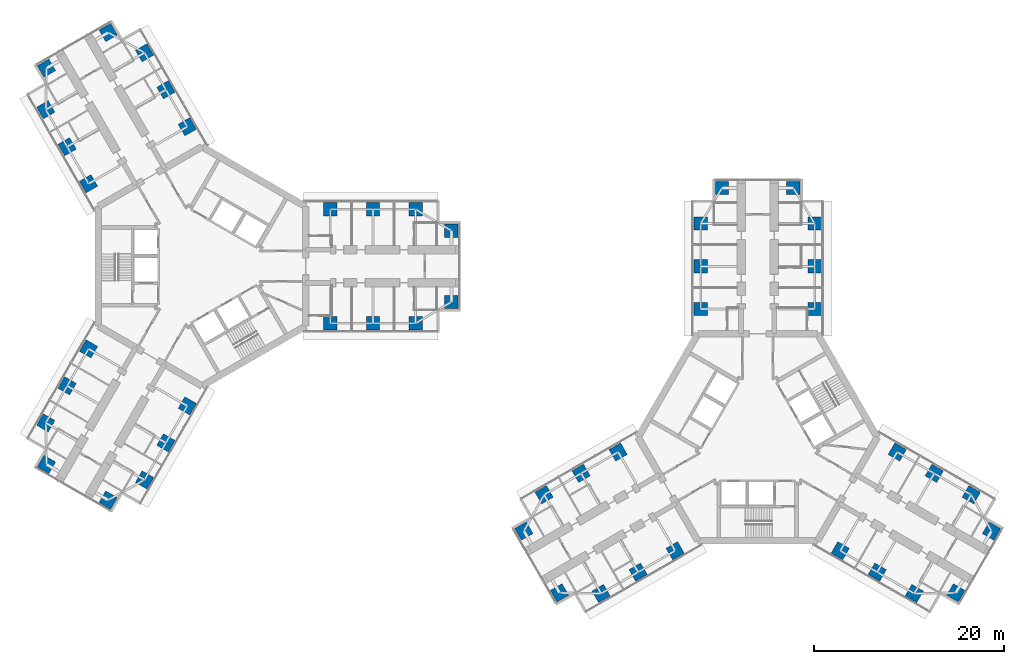
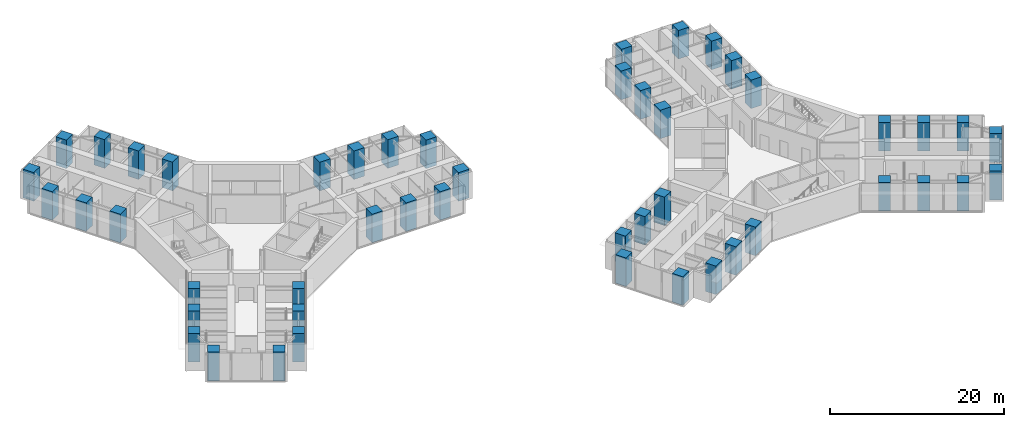
# One storey, part 1 of 25: 48 columns.
"""IFC4 building model written with IfcOpenShell, lengths in metres."""

from ifc_helpers import new_model, si_unit, direction, frame, origin, origin_2d, place, context, subcontext, project, spatial, rectangle, extrude, material, material_profile, profile_set, type_object, element, save


model = new_model("IFC4")

# Units and contexts
model_context = context("Model", 3, precision=1e-05, world=origin(), true_north=direction((0.0, 1.0)))
body_context = subcontext(model_context, "Body", "Model", "MODEL_VIEW")
ifc_project = project(units=[si_unit("LENGTHUNIT", "METRE"), si_unit("AREAUNIT", "SQUARE_METRE"), si_unit("VOLUMEUNIT", "CUBIC_METRE"), si_unit("PLANEANGLEUNIT", "RADIAN"), si_unit("MASSUNIT", "GRAM", prefix="KILO")], contexts=[model_context])

# Site, building, storey
site_placement = place(None, origin())
site = spatial("IfcSite", under=ifc_project, at=site_placement, CompositionType="ELEMENT")
building_placement = place(site_placement, origin())
building = spatial("IfcBuilding", under=site, at=building_placement, Name="Upepo Twin Towers", CompositionType="ELEMENT")
storey_placement = place(building_placement, frame((0.0, 0.0, 76.5)))
storey = spatial("IfcBuildingStorey", under=building, at=storey_placement, Name="L18", CompositionType="ELEMENT", Elevation=76.5)

# Columns
ifc_material = material(Name="Concrete C60/75", Category="concrete")
ifc_material_profile = material_profile(ifc_material, rectangle(XDim=1.39990234375, YDim=1.39990234375, at=origin_2d()), Name="RC 1400x1400")
ifc_profile_set = profile_set([ifc_material_profile], Name="Concrete C60/75")
column_type = type_object("IfcColumnType", Name="Tower column RC 1400x1400", PredefinedType="COLUMN", material=ifc_profile_set)
for number, where, z_axis, x_axis, name in (
    (1, (13.5, 6.0, 0.0), (0.0, 0.0, 1.0), (1.0, 0.0, 0.0), "T1 column AL135"),
    (2, (13.5, -6.0, 0.0), (0.0, 0.0, 1.0), (1.0, 0.0, 0.0), "T1 column AR135"),
    (3, (18.0, 6.0, 0.0), (0.0, 0.0, 1.0), (1.0, 0.0, 0.0), "T1 column AL180"),
    (4, (18.0, -6.0, 0.0), (0.0, 0.0, 1.0), (1.0, 0.0, 0.0), "T1 column AR180"),
    (5, (22.5, 6.0, 0.0), (0.0, 0.0, 1.0), (1.0, 0.0, 0.0), "T1 column AL225"),
    (6, (22.5, -6.0, 0.0), (0.0, 0.0, 1.0), (1.0, 0.0, 0.0), "T1 column AR225"),
    (7, (26.25, 3.75, 0.0), (0.0, 0.0, 1.0), (1.0, 0.0, 0.0), "T1 column ALN"),
    (8, (26.25, -3.75, 0.0), (0.0, 0.0, 1.0), (1.0, 0.0, 0.0), "T1 column ARN"),
    (9, (-11.946044921875, 8.69140625, 0.0), (0.0, 0.0, 1.0), (0.866025403784, 0.5, 0.0), "T1 column BL135"),
    (10, (-1.553955078125, 14.69140625, 0.0), (0.0, 0.0, 1.0), (0.866025403784, 0.5, 0.0), "T1 column BR135"),
    (11, (-14.196044921875, 12.58837890625, 0.0), (0.0, 0.0, 1.0), (0.866025403784, 0.5, 0.0), "T1 column BL180"),
    (12, (-3.803955078125, 18.58837890625, 0.0), (0.0, 0.0, 1.0), (0.866025403784, 0.5, 0.0), "T1 column BR180"),
    (13, (-16.446044921875, 16.485595703125, 0.0), (0.0, 0.0, 1.0), (0.866025403784, 0.5, 0.0), "T1 column BL225"),
    (14, (-6.053955078125, 22.485595703125, 0.0), (0.0, 0.0, 1.0), (0.866025403784, 0.5, 0.0), "T1 column BR225"),
    (15, (-16.37255859375, 20.858154296875, 0.0), (0.0, 0.0, 1.0), (0.866025403784, 0.5, 0.0), "T1 column BLN"),
    (16, (-9.87744140625, 24.608154296875, 0.0), (0.0, 0.0, 1.0), (0.866025403784, 0.5, 0.0), "T1 column BRN"),
    (17, (-1.553955078125, -14.69140625, 0.0), (0.0, 0.0, 1.0), (0.5, 0.866025403784, 0.0), "T1 column CL135"),
    (18, (-11.946044921875, -8.69140625, 0.0), (0.0, 0.0, 1.0), (0.5, 0.866025403784, 0.0), "T1 column CR135"),
    (19, (-3.803955078125, -18.58837890625, 0.0), (0.0, 0.0, 1.0), (0.5, 0.866025403784, 0.0), "T1 column CL180"),
    (20, (-14.196044921875, -12.58837890625, 0.0), (0.0, 0.0, 1.0), (0.5, 0.866025403784, 0.0), "T1 column CR180"),
    (21, (-6.053955078125, -22.485595703125, 0.0), (0.0, 0.0, 1.0), (0.5, 0.866025403784, 0.0), "T1 column CL225"),
    (22, (-16.446044921875, -16.485595703125, 0.0), (0.0, 0.0, 1.0), (0.5, 0.866025403784, 0.0), "T1 column CR225"),
    (23, (-9.87744140625, -24.608154296875, 0.0), (0.0, 0.0, 1.0), (0.5, 0.866025403784, 0.0), "T1 column CLN"),
    (24, (-16.37255859375, -20.858154296875, 0.0), (0.0, 0.0, 1.0), (0.5, 0.866025403784, 0.0), "T1 column CRN"),
    (25, (52.5, -4.5, 0.0), (0.0, 0.0, 1.0), (1.0, 0.0, 0.0), "T2 column AL135"),
    (26, (64.5, -4.5, 0.0), (0.0, 0.0, 1.0), (1.0, 0.0, 0.0), "T2 column AR135"),
    (27, (52.5, 0.0, 0.0), (0.0, 0.0, 1.0), (1.0, 0.0, 0.0), "T2 column AL180"),
    (28, (64.5, 0.0, 0.0), (0.0, 0.0, 1.0), (1.0, 0.0, 0.0), "T2 column AR180"),
    (29, (52.5, 4.5, 0.0), (0.0, 0.0, 1.0), (1.0, 0.0, 0.0), "T2 column AL225"),
    (30, (64.5, 4.5, 0.0), (0.0, 0.0, 1.0), (1.0, 0.0, 0.0), "T2 column AR225"),
    (31, (54.75, 8.25, 0.0), (0.0, 0.0, 1.0), (1.0, 0.0, 0.0), "T2 column ALN"),
    (32, (62.25, 8.25, 0.0), (0.0, 0.0, 1.0), (1.0, 0.0, 0.0), "T2 column ARN"),
    (33, (49.80859375, -29.946044921875, 0.0), (0.0, 0.0, 1.0), (0.866025403784, 0.5, 0.0), "T2 column BL135"),
    (34, (43.80859375, -19.553955078125, 0.0), (0.0, 0.0, 1.0), (0.866025403784, 0.5, 0.0), "T2 column BR135"),
    (35, (45.91162109375, -32.196044921875, 0.0), (0.0, 0.0, 1.0), (0.866025403784, 0.5, 0.0), "T2 column BL180"),
    (36, (39.91162109375, -21.803955078125, 0.0), (0.0, 0.0, 1.0), (0.866025403784, 0.5, 0.0), "T2 column BR180"),
    (37, (42.014404296875, -34.446044921875, 0.0), (0.0, 0.0, 1.0), (0.866025403784, 0.5, 0.0), "T2 column BL225"),
    (38, (36.014404296875, -24.053955078125, 0.0), (0.0, 0.0, 1.0), (0.866025403784, 0.5, 0.0), "T2 column BR225"),
    (39, (37.641845703125, -34.37255859375, 0.0), (0.0, 0.0, 1.0), (0.866025403784, 0.5, 0.0), "T2 column BLN"),
    (40, (33.891845703125, -27.87744140625, 0.0), (0.0, 0.0, 1.0), (0.866025403784, 0.5, 0.0), "T2 column BRN"),
    (41, (73.19140625, -19.553955078125, 0.0), (0.0, 0.0, 1.0), (0.5, 0.866025403784, 0.0), "T2 column CL135"),
    (42, (67.19140625, -29.946044921875, 0.0), (0.0, 0.0, 1.0), (0.5, 0.866025403784, 0.0), "T2 column CR135"),
    (43, (77.08837890625, -21.803955078125, 0.0), (0.0, 0.0, 1.0), (0.5, 0.866025403784, 0.0), "T2 column CL180"),
    (44, (71.08837890625, -32.196044921875, 0.0), (0.0, 0.0, 1.0), (0.5, 0.866025403784, 0.0), "T2 column CR180"),
    (45, (80.985595703125, -24.053955078125, 0.0), (0.0, 0.0, 1.0), (0.5, 0.866025403784, 0.0), "T2 column CL225"),
    (46, (74.985595703125, -34.446044921875, 0.0), (0.0, 0.0, 1.0), (0.5, 0.866025403784, 0.0), "T2 column CR225"),
    (47, (83.108154296875, -27.87744140625, 0.0), (0.0, 0.0, 1.0), (0.5, 0.866025403784, 0.0), "T2 column CLN"),
    (48, (79.358154296875, -34.37255859375, 0.0), (0.0, 0.0, 1.0), (0.5, 0.866025403784, 0.0), "T2 column CRN"),
):
    element("IfcColumn", number, at=place(storey_placement, frame(where, z_axis=z_axis, x_axis=x_axis)), inside=storey, type_object=column_type, Name=name, PredefinedType="COLUMN", context=body_context, shape_type="SweptSolid", body=[
        extrude(rectangle(XDim=1.39990234375, YDim=1.39990234375, at=origin_2d()), origin(), (0.0, 0.0, 1.0), 4.0),
    ])

save(model, "model.ifc")
